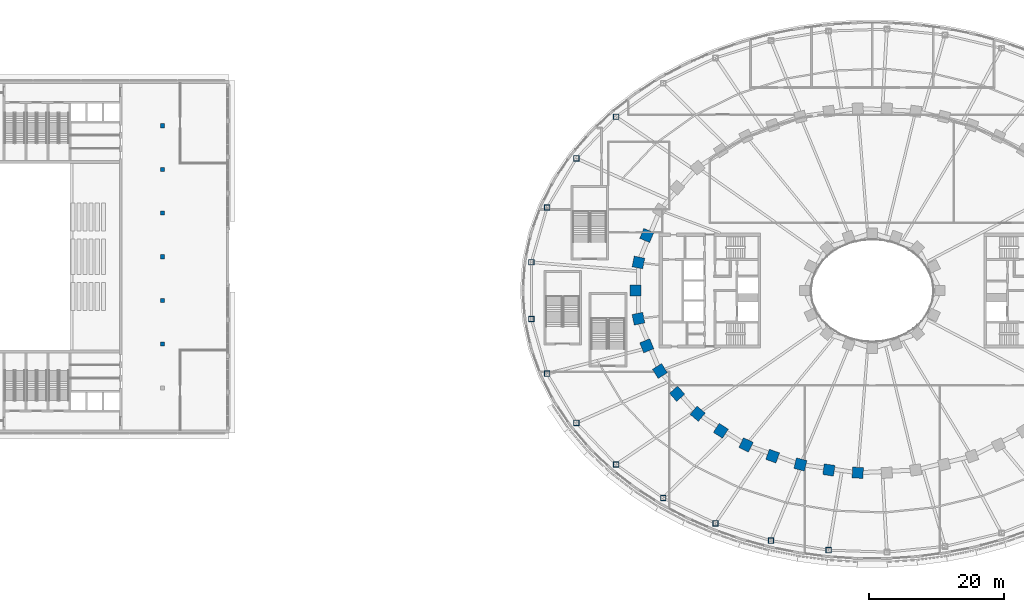
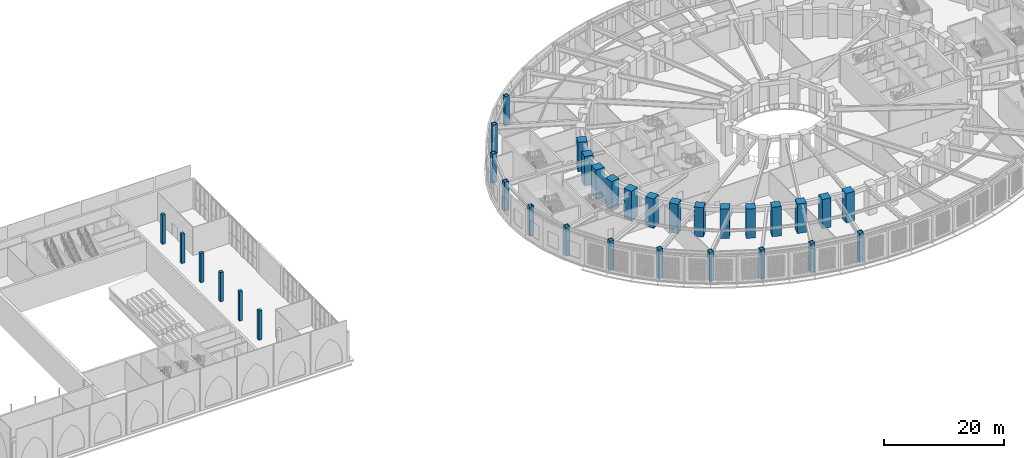
# One storey, part 4 of 74: 32 columns.
"""IFC4 building model written with IfcOpenShell, lengths in metres."""

import ifcopenshell
import ifcopenshell.guid

model = None  # the IFC model being written
_history = None  # IfcOwnerHistory: only IFC2X3 demands one
_inside = {}  # id of a spatial element -> (the spatial element, [elements in it])
_under = {}  # id of a project, library or spatial element -> (it, [spatial elements below it])
_declared = {}  # id of a project -> (the project, [libraries it declares])
_typed = {}  # id of a type object -> (the type object, [elements of that type])
_made_of = {}  # id of a material, layer set ... -> (it, [elements and type objects made of it])


def new_model(schema):
    """Start an empty IFC model of exactly this schema.

    Asked for "IFC4X3", IfcOpenShell would pick the latest addendum, in which some entities
    have other attributes; the version numbers below select the first issue.
    IFC2X3 requires an IfcOwnerHistory on every rooted entity: one is made here for all.
    """
    global model, _history
    if schema == "IFC4X3":
        model = ifcopenshell.file(schema_version=(4, 3, 0, 0))
    else:
        model = ifcopenshell.file(schema=schema)
    _inside.clear()
    _under.clear()
    _declared.clear()
    _typed.clear()
    _made_of.clear()
    _history = None
    if model.schema == "IFC2X3":
        org = make("IfcOrganization", Name="unknown")
        user = make(
            "IfcPersonAndOrganization",
            ThePerson=make("IfcPerson", FamilyName="unknown"),
            TheOrganization=org,
        )
        app = make(
            "IfcApplication",
            ApplicationDeveloper=org,
            Version="unknown",
            ApplicationFullName="unknown",
            ApplicationIdentifier="unknown",
        )
        _history = make(
            "IfcOwnerHistory",
            OwningUser=user,
            OwningApplication=app,
            ChangeAction="ADDED",
            CreationDate=0,
        )
    return model


def make(cls, **values):
    """One entity of the class cls with the attributes given. An attribute that is None is left unset."""
    return model.create_entity(
        cls, **{name: value for name, value in values.items() if value is not None}
    )


def rooted(cls, **values):
    """An entity with a GlobalId (a new one), such as an element, a storey or a relation."""
    return make(cls, GlobalId=ifcopenshell.guid.new(), OwnerHistory=_history, **values)


def si_unit(unit_type, name, prefix=None):
    """IfcSIUnit, for example si_unit("LENGTHUNIT", "METRE", prefix="MILLI")."""
    return make("IfcSIUnit", UnitType=unit_type, Prefix=prefix, Name=name)


def assignment(units):
    """IfcUnitAssignment: the units of a project."""
    return None if units is None else make("IfcUnitAssignment", Units=units)


def point(xyz):
    """IfcCartesianPoint."""
    return None if xyz is None else make("IfcCartesianPoint", Coordinates=xyz)


def direction(xyz):
    """IfcDirection."""
    return None if xyz is None else make("IfcDirection", DirectionRatios=xyz)


def frame(location, z_axis=None, x_axis=None):
    """IfcAxis2Placement3D, a coordinate frame: its origin and axes. An axis left out is left unset."""
    return make(
        "IfcAxis2Placement3D",
        Location=point(location),
        Axis=direction(z_axis),
        RefDirection=direction(x_axis),
    )


def frame_2d(location, x_axis=None):
    """IfcAxis2Placement2D, a coordinate frame in the plane: its origin and x axis."""
    return make(
        "IfcAxis2Placement2D", Location=point(location), RefDirection=direction(x_axis)
    )


def origin():
    """The frame at (0, 0, 0) with its axes left unset."""
    return frame((0.0, 0.0, 0.0))


def origin_2d():
    """The frame at (0, 0) in the plane with its x axis left unset."""
    return frame_2d((0.0, 0.0))


def place(relative_to, where):
    """IfcLocalPlacement: puts the frame where relative to a parent placement (None: the world)."""
    return make(
        "IfcLocalPlacement", PlacementRelTo=relative_to, RelativePlacement=where
    )


def context(
    kind, dimensions, precision=None, world=None, true_north=None, identifier=None
):
    """IfcGeometricRepresentationContext, for example the 3D "Model" context."""
    return make(
        "IfcGeometricRepresentationContext",
        ContextIdentifier=identifier,
        ContextType=kind,
        CoordinateSpaceDimension=dimensions,
        Precision=precision,
        WorldCoordinateSystem=world,
        TrueNorth=true_north,
    )


def subcontext(parent, identifier, kind, view, scale=None):
    """IfcGeometricRepresentationSubContext, for example "Body" below "Model"."""
    return make(
        "IfcGeometricRepresentationSubContext",
        ContextIdentifier=identifier,
        ContextType=kind,
        ParentContext=parent,
        TargetScale=scale,
        TargetView=view,
    )


def project(units=None, contexts=None):
    """IfcProject with its units and contexts."""
    return rooted(
        "IfcProject",
        Name="project",
        RepresentationContexts=contexts,
        UnitsInContext=assignment(units),
    )


def spatial(cls, under=None, at=None, **own):
    """A site, building, storey or space (cls), placed at a placement, below another one or the project."""
    s = rooted(cls, ObjectPlacement=at, **own)
    if under is not None:
        _under.setdefault(under.id(), (under, []))[1].append(s)
    return s


def profile(cls, at=None, kind="AREA", **sizes):
    """A parametric profile (cls). Its sizes go by their IFC names, for example OverallWidth=200.0."""
    return make(cls, ProfileType=kind, Position=at, **sizes)


def rectangle(**sizes):
    """IfcRectangleProfileDef."""
    return profile("IfcRectangleProfileDef", **sizes)


def hollow_rectangle(**sizes):
    """IfcRectangleHollowProfileDef."""
    return profile("IfcRectangleHollowProfileDef", **sizes)


def extrude(swept, where, along, depth):
    """IfcExtrudedAreaSolid: the profile swept, set in the frame where, extruded along a direction by depth."""
    return make(
        "IfcExtrudedAreaSolid",
        SweptArea=swept,
        Position=where,
        ExtrudedDirection=direction(along),
        Depth=depth,
    )


def shape(context_of_items, identifier, shape_type, items):
    """IfcShapeRepresentation: the items that make up one representation, for example the "Body"."""
    return make(
        "IfcShapeRepresentation",
        ContextOfItems=context_of_items,
        RepresentationIdentifier=identifier,
        RepresentationType=shape_type,
        Items=items,
    )


def material(Name=None, Category=None):
    """IfcMaterial."""
    return make("IfcMaterial", Name=Name, Category=Category)


def material_profile(
    of_material, cross_section, Name=None, Category=None, Priority=None
):
    """IfcMaterialProfile: a cross section and its material."""
    return make(
        "IfcMaterialProfile",
        Name=Name,
        Material=of_material,
        Profile=cross_section,
        Priority=Priority,
        Category=Category,
    )


def profile_set(profiles, Name=None, composite=None):
    """IfcMaterialProfileSet."""
    return make(
        "IfcMaterialProfileSet",
        Name=Name,
        MaterialProfiles=profiles,
        CompositeProfile=composite,
    )


def made_of(thing, what):
    """Note that an element or type object is made of a material, layer set ...; save() writes the relation."""
    if what is not None:
        _made_of.setdefault(what.id(), (what, []))[1].append(thing)
    return thing


def type_object(cls, material=None, **own):
    """A type object (cls), such as IfcWallType, which elements share."""
    return made_of(rooted(cls, **own), material)


def element(
    cls,
    number,
    at=None,
    inside=None,
    cuts=None,
    type_object=None,
    material=None,
    context=None,
    identifier="Body",
    shape_type=None,
    held_by="IfcProductDefinitionShape",
    body=None,
    shapes=None,
    **own,
):
    """One element of the class cls, such as IfcWall. Its Tag is "e" and its number.

    at: its placement. inside: the storey or other place that contains it. cuts: it is an
    opening in that element (IfcRelVoidsElement). A single representation is given by context,
    identifier, shape_type and body (its items); several are given by shapes. held_by: the class
    of the entity that holds the representations. save() writes the other relations.
    """
    e = rooted(cls, Tag="e%d" % number, ObjectPlacement=at, **own)
    if body is not None:
        shapes = [shape(context, identifier, shape_type, body)]
    if shapes is not None:
        e.Representation = make(held_by, Representations=shapes)
    if inside is not None:
        _inside.setdefault(inside.id(), (inside, []))[1].append(e)
    if cuts is not None:
        rooted(
            "IfcRelVoidsElement", RelatingBuildingElement=cuts, RelatedOpeningElement=e
        )
    if type_object is not None:
        _typed.setdefault(type_object.id(), (type_object, []))[1].append(e)
    return made_of(e, material)


def aggregate(whole, parts):
    """IfcRelAggregates: a whole, such as a stair, and the parts it consists of."""
    return rooted("IfcRelAggregates", RelatingObject=whole, RelatedObjects=parts)


def save(model, path):
    """Write the relations noted so far, then the file.

    IfcRelAggregates (storeys below a building ...), IfcRelContainedInSpatialStructure (elements
    in a storey), IfcRelDefinesByType, IfcRelAssociatesMaterial and IfcRelDeclares: one each for
    every whole, place, type object, material and project.
    """
    for whole, parts in _under.values():
        aggregate(whole, parts)
    for where, things in _inside.values():
        rooted(
            "IfcRelContainedInSpatialStructure",
            RelatedElements=things,
            RelatingStructure=where,
        )
    for kind, things in _typed.values():
        rooted("IfcRelDefinesByType", RelatedObjects=things, RelatingType=kind)
    for what, things in _made_of.values():
        rooted("IfcRelAssociatesMaterial", RelatedObjects=things, RelatingMaterial=what)
    for by, libraries in _declared.values():
        rooted("IfcRelDeclares", RelatingContext=by, RelatedDefinitions=libraries)
    model.write(path)


model = new_model("IFC4")

# Units and contexts
model_context = context("Model", 3, precision=1e-05, world=origin(), true_north=direction((0.0, 1.0)))
body_context = subcontext(model_context, "Body", "Model", "MODEL_VIEW")
ifc_project = project(units=[si_unit("LENGTHUNIT", "METRE"), si_unit("AREAUNIT", "SQUARE_METRE"), si_unit("VOLUMEUNIT", "CUBIC_METRE"), si_unit("PLANEANGLEUNIT", "RADIAN"), si_unit("MASSUNIT", "GRAM", prefix="KILO")], contexts=[model_context])

# Site, building, storey
site_placement = place(None, origin())
site = spatial("IfcSite", under=ifc_project, at=site_placement, CompositionType="ELEMENT")
building_placement = place(site_placement, origin())
building = spatial("IfcBuilding", under=site, at=building_placement, Name="Noorbagh Ring Tower", CompositionType="ELEMENT")
storey_placement = place(building_placement, frame((0.0, 0.0, 13.5)))
storey = spatial("IfcBuildingStorey", under=building, at=storey_placement, Name="L02", CompositionType="ELEMENT", Elevation=13.5)

# Columns
ifc_material_1 = material(Name="Steel S355", Category="steel")
ifc_material_profile_1 = material_profile(ifc_material_1, hollow_rectangle(XDim=0.800048828125, YDim=0.800048828125, WallThickness=0.0400390625, at=origin_2d()), Name="BOX800x800x40")
ifc_profile_set_1 = profile_set([ifc_material_profile_1], Name="Steel S355")
column_type_1 = type_object("IfcColumnType", Name="GND-COL-BOX800x800x40", PredefinedType="COLUMN", material=ifc_profile_set_1)
for number, where, z_axis, x_axis, name in (
    (1, (-37.8330078125, 25.679931640625, 0.0), (0.0, 0.0, 1.0), (1.0, 0.0, 0.0), "L02/col/RP-14"),
    (2, (-43.6962890625, 19.52490234375, 0.0), (0.0, 0.0, 1.0), (1.0, 0.0, 0.0), "L02/col/RP-15"),
    (3, (-48.0224609375, 12.266845703125, 0.0), (0.0, 0.0, 1.0), (1.0, 0.0, 0.0), "L02/col/RP-16"),
    (4, (-50.34716796875, 4.191650390625, 0.0), (0.0, 0.0, 1.0), (1.0, 0.0, 0.0), "L02/col/RP-17"),
    (5, (-50.34716796875, -4.191650390625, 0.0), (0.0, 0.0, 1.0), (1.0, 0.0, 0.0), "L02/col/RP-18"),
    (6, (-48.0224609375, -12.266845703125, 0.0), (0.0, 0.0, 1.0), (1.0, 0.0, 0.0), "L02/col/RP-19"),
    (7, (-43.6962890625, -19.52490234375, 0.0), (0.0, 0.0, 1.0), (1.0, 0.0, 0.0), "L02/col/RP-20"),
    (8, (-37.8330078125, -25.679931640625, 0.0), (0.0, 0.0, 1.0), (1.0, 0.0, 0.0), "L02/col/RP-21"),
    (9, (-30.869384765625, -30.629150390625, 0.0), (0.0, 0.0, 1.0), (1.0, 0.0, 0.0), "L02/col/RP-22"),
    (10, (-23.152587890625, -34.36767578125, 0.0), (0.0, 0.0, 1.0), (1.0, 0.0, 0.0), "L02/col/RP-23"),
    (11, (-14.946044921875, -36.925048828125, 0.0), (0.0, 0.0, 1.0), (1.0, 0.0, 0.0), "L02/col/RP-24"),
    (12, (-6.4541015625, -38.33349609375, 0.0), (0.0, 0.0, 1.0), (1.0, 0.0, 0.0), "L02/col/RP-25"),
):
    element("IfcColumn", number, at=place(storey_placement, frame(where, z_axis=z_axis, x_axis=x_axis)), inside=storey, type_object=column_type_1, Name=name, PredefinedType="COLUMN", context=body_context, shape_type="SweptSolid", body=[
        extrude(hollow_rectangle(XDim=0.800048828125, YDim=0.800048828125, WallThickness=0.0400390625, at=origin_2d()), origin(), (0.0, 0.0, 1.0), 6.0),
    ])
ifc_material_2 = material(Name="Concrete C70/85", Category="concrete")
ifc_material_profile_2 = material_profile(ifc_material_2, rectangle(XDim=1.60009765625, YDim=1.60009765625, at=origin_2d()), Name="RC1600x1600")
ifc_profile_set_2 = profile_set([ifc_material_profile_2], Name="Concrete C70/85")
column_type_2 = type_object("IfcColumnType", Name="STR-COL-RC1600x1600-C70-85", PredefinedType="COLUMN", material=ifc_profile_set_2)
for number, where, z_axis, x_axis, name in (
    (13, (-33.30517578125, 8.1494140625, 0.0), (0.0, 0.0, 1.0), (-0.378989499959, -0.925400971969, 0.0), "L02/col/R1-22"),
    (14, (-34.52685546875, 4.150634765625, 0.0), (0.0, 0.0, 1.0), (-0.19723040178, -0.9803571638, 0.0), "L02/col/R1-23"),
    (15, (-34.944580078125, 0.0, 0.0), (0.0, 0.0, 1.0), (0.0, -1.0, 0.0), "L02/col/R1-24"),
    (16, (-34.52685546875, -4.150634765625, 0.0), (0.0, 0.0, 1.0), (0.19723040178, -0.9803571638, 0.0), "L02/col/R1-25"),
    (17, (-33.30517578125, -8.1494140625, 0.0), (0.0, 0.0, 1.0), (0.378989499959, -0.925400971969, 0.0), "L02/col/R1-26"),
    (18, (-31.364990234375, -11.87109375, 0.0), (0.0, 0.0, 1.0), (0.535190403059, -0.844731455833, 0.0), "L02/col/R1-27"),
    (19, (-28.81884765625, -15.23046875, 0.0), (0.0, 0.0, 1.0), (0.662635642662, -0.748941923699, 0.0), "L02/col/R1-28"),
    (20, (-25.78271484375, -18.180419921875, 0.0), (0.0, 0.0, 1.0), (0.763035199656, -0.646356932419, 0.0), "L02/col/R1-29"),
    (21, (-22.362060546875, -20.699951171875, 0.0), (0.0, 0.0, 1.0), (0.840247639643, -0.542202825586, 0.0), "L02/col/R1-30"),
    (22, (-18.646240234375, -22.785400390625, 0.0), (0.0, 0.0, 1.0), (0.898399080868, -0.439180021741, 0.0), "L02/col/R1-31"),
    (23, (-14.70947265625, -24.44091796875, 0.0), (0.0, 0.0, 1.0), (0.941024726094, -0.338337797003, 0.0), "L02/col/R1-32"),
    (24, (-10.61328125, -25.673583984375, 0.0), (0.0, 0.0, 1.0), (0.970829360981, -0.239771457553, 0.0), "L02/col/R1-33"),
    (25, (-6.4091796875, -26.49072265625, 0.0), (0.0, 0.0, 1.0), (0.989713114048, -0.143066249975, 0.0), "L02/col/R1-34"),
    (26, (-2.14306640625, -26.89794921875, 0.0), (0.0, 0.0, 1.0), (0.998868731212, -0.047552684538, 0.0), "L02/col/R1-35"),
):
    element("IfcColumn", number, at=place(storey_placement, frame(where, z_axis=z_axis, x_axis=x_axis)), inside=storey, type_object=column_type_2, Name=name, PredefinedType="COLUMN", context=body_context, shape_type="SweptSolid", body=[
        extrude(rectangle(XDim=1.60009765625, YDim=1.60009765625, at=origin_2d()), origin(), (0.0, 0.0, 1.0), 6.0),
    ])
ifc_material_3 = material(Name="Concrete C50/60", Category="concrete")
ifc_material_profile_3 = material_profile(ifc_material_3, rectangle(XDim=0.60009765625, YDim=0.60009765625, at=origin_2d()), Name="RC600x600")
ifc_profile_set_3 = profile_set([ifc_material_profile_3], Name="Concrete C50/60")
column_type_3 = type_object("IfcColumnType", Name="TH-COL-FOYER", PredefinedType="COLUMN", material=ifc_profile_set_3)
for number, where, z_axis, x_axis, name in (
    (27, (-104.800048828125, -7.89990234375, 0.0), (0.0, 0.0, 1.0), (1.0, 0.0, 0.0), "L02/th-col/foyer-2"),
    (28, (-104.800048828125, -1.449951171875, 0.0), (0.0, 0.0, 1.0), (1.0, 0.0, 0.0), "L02/th-col/foyer-3"),
    (29, (-104.800048828125, 5.0, 0.0), (0.0, 0.0, 1.0), (1.0, 0.0, 0.0), "L02/th-col/foyer-4"),
    (30, (-104.800048828125, 11.449951171875, 0.0), (0.0, 0.0, 1.0), (1.0, 0.0, 0.0), "L02/th-col/foyer-5"),
    (31, (-104.800048828125, 17.89990234375, 0.0), (0.0, 0.0, 1.0), (1.0, 0.0, 0.0), "L02/th-col/foyer-6"),
    (32, (-104.800048828125, 24.35009765625, 0.0), (0.0, 0.0, 1.0), (1.0, 0.0, 0.0), "L02/th-col/foyer-7"),
):
    element("IfcColumn", number, at=place(storey_placement, frame(where, z_axis=z_axis, x_axis=x_axis)), inside=storey, type_object=column_type_3, Name=name, PredefinedType="COLUMN", context=body_context, shape_type="SweptSolid", body=[
        extrude(rectangle(XDim=0.60009765625, YDim=0.60009765625, at=origin_2d()), origin(), (0.0, 0.0, 1.0), 6.0),
    ])

save(model, "model.ifc")
